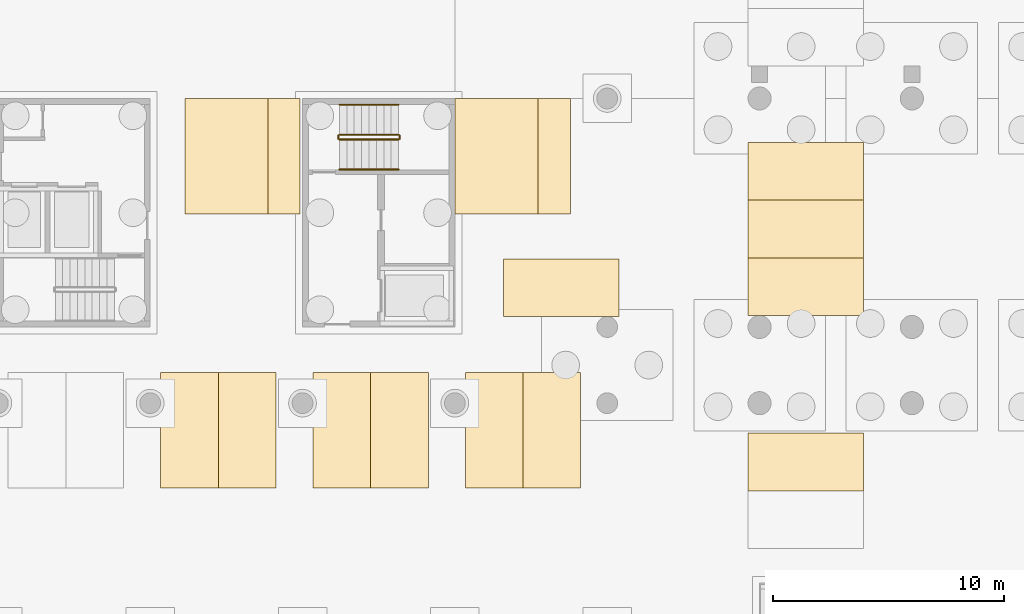
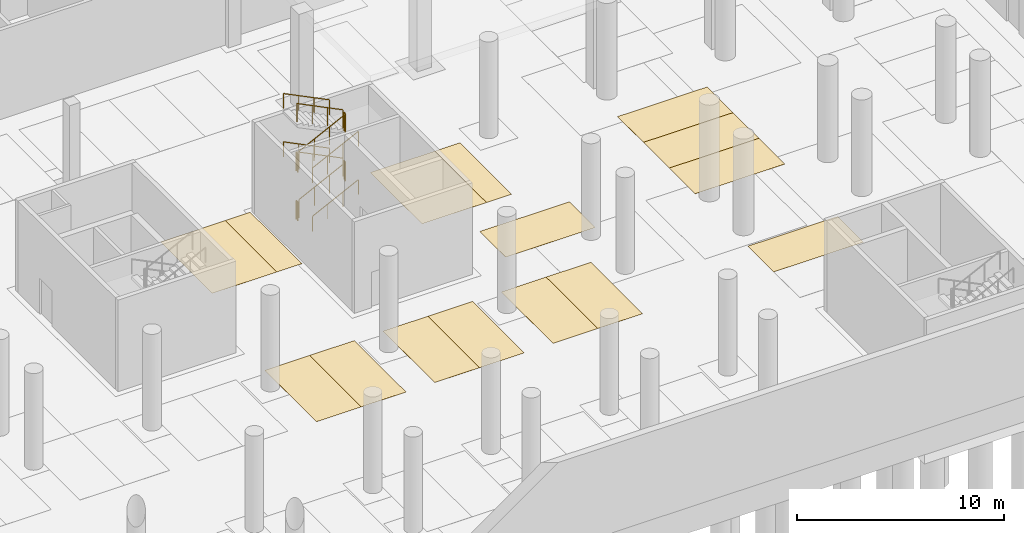
# One storey, part 25 of 38: 15 coverings, 12 railings.
"""IFC4 building model written with IfcOpenShell, lengths in metres."""

from ifc_helpers import new_model, si_unit, direction, frame, origin, origin_2d, place, context, subcontext, project, spatial, polyline, circle, outline, extrude, material, layer, layer_set, type_object, element, save


model = new_model("IFC4")

# Units and contexts
model_context = context("Model", 3, precision=1e-05, world=origin(), true_north=direction((0.0, 1.0)))
body_context = subcontext(model_context, "Body", "Model", "MODEL_VIEW")
ifc_project = project(units=[si_unit("LENGTHUNIT", "METRE"), si_unit("AREAUNIT", "SQUARE_METRE"), si_unit("VOLUMEUNIT", "CUBIC_METRE"), si_unit("PLANEANGLEUNIT", "RADIAN"), si_unit("MASSUNIT", "GRAM", prefix="KILO")], contexts=[model_context])

# Site, building, storey
site_placement = place(None, origin())
site = spatial("IfcSite", under=ifc_project, at=site_placement, CompositionType="ELEMENT")
building_placement = place(site_placement, origin())
building = spatial("IfcBuilding", under=site, at=building_placement, Name="Lantern Court Research Institute", CompositionType="ELEMENT")
storey_placement = place(building_placement, frame((0.0, 0.0, -5.699951171875)))
storey = spatial("IfcBuildingStorey", under=building, at=storey_placement, Name="B1", CompositionType="ELEMENT", Elevation=-5.699951171875)

# Coverings
ifc_material_1 = material(Name="Thermoplastic road marking paint")
ifc_layer_1 = layer(ifc_material_1, 0.0029296875)
ifc_layer_set_1 = layer_set([ifc_layer_1], Name="Thermoplastic road marking paint")
covering_type_1 = type_object("IfcCoveringType", Name="Access aisle hatching", PredefinedType="FLOORING", material=ifc_layer_set_1)
covering_1_placement = place(storey_placement, origin())
element("IfcCovering", 1, at=covering_1_placement, inside=storey, type_object=covering_type_1, Name="Access aisle hatching 01", PredefinedType="FLOORING", context=body_context, shape_type="SweptSolid", body=[
    extrude(outline(polyline([(31.5, 18.10009765625), (32.89990234375, 18.10009765625), (32.89990234375, 23.10009765625), (31.5, 23.10009765625), (31.5, 18.10009765625)])), origin(), (0.0, 0.0, 1.0), 0.0029296875),
])
covering_2_placement = place(storey_placement, origin())
element("IfcCovering", 2, at=covering_2_placement, inside=storey, type_object=covering_type_1, Name="Access aisle hatching 02", PredefinedType="FLOORING", context=body_context, shape_type="SweptSolid", body=[
    extrude(outline(polyline([(43.199951171875, 18.10009765625), (44.60009765625, 18.10009765625), (44.60009765625, 23.10009765625), (43.199951171875, 23.10009765625), (43.199951171875, 18.10009765625)])), origin(), (0.0, 0.0, 1.0), 0.0029296875),
])
ifc_material_2 = material(Name="Thermoplastic road marking paint")
ifc_layer_2 = layer(ifc_material_2, 0.0029296875)
ifc_layer_set_2 = layer_set([ifc_layer_2], Name="Thermoplastic road marking paint")
covering_type_2 = type_object("IfcCoveringType", Name="Accessible parking bay marking", PredefinedType="FLOORING", material=ifc_layer_set_2)
covering_3_placement = place(storey_placement, origin())
element("IfcCovering", 3, at=covering_3_placement, inside=storey, type_object=covering_type_2, Name="Accessible parking bay marking 01", PredefinedType="FLOORING", context=body_context, shape_type="SweptSolid", body=[
    extrude(outline(polyline([(27.89990234375, 18.10009765625), (31.5, 18.10009765625), (31.5, 23.10009765625), (27.89990234375, 23.10009765625), (27.89990234375, 18.10009765625)])), origin(), (0.0, 0.0, 1.0), 0.0029296875),
])
covering_4_placement = place(storey_placement, origin())
element("IfcCovering", 4, at=covering_4_placement, inside=storey, type_object=covering_type_2, Name="Accessible parking bay marking 02", PredefinedType="FLOORING", context=body_context, shape_type="SweptSolid", body=[
    extrude(outline(polyline([(39.60009765625, 18.10009765625), (43.199951171875, 18.10009765625), (43.199951171875, 23.10009765625), (39.60009765625, 23.10009765625), (39.60009765625, 18.10009765625)])), origin(), (0.0, 0.0, 1.0), 0.0029296875),
])
ifc_material_3 = material(Name="Thermoplastic road marking paint")
ifc_layer_3 = layer(ifc_material_3, 0.0029296875)
ifc_layer_set_3 = layer_set([ifc_layer_3], Name="Thermoplastic road marking paint")
covering_type_3 = type_object("IfcCoveringType", Name="Parking bay marking", PredefinedType="FLOORING", material=ifc_layer_set_3)
covering_5_placement = place(storey_placement, origin())
element("IfcCovering", 5, at=covering_5_placement, inside=storey, type_object=covering_type_3, Name="Parking bay marking 021", PredefinedType="FLOORING", context=body_context, shape_type="SweptSolid", body=[
    extrude(outline(polyline([(52.300048828125, 6.10009765625), (57.300048828125, 6.10009765625), (57.300048828125, 8.60009765625), (52.300048828125, 8.60009765625), (52.300048828125, 6.10009765625)])), origin(), (0.0, 0.0, 1.0), 0.0029296875),
])
covering_6_placement = place(storey_placement, origin())
element("IfcCovering", 6, at=covering_6_placement, inside=storey, type_object=covering_type_3, Name="Parking bay marking 029", PredefinedType="FLOORING", context=body_context, shape_type="SweptSolid", body=[
    extrude(outline(polyline([(26.85009765625, 6.219970703125), (29.35009765625, 6.219970703125), (29.35009765625, 11.219970703125), (26.85009765625, 11.219970703125), (26.85009765625, 6.219970703125)])), origin(), (0.0, 0.0, 1.0), 0.0029296875),
])
covering_7_placement = place(storey_placement, origin())
element("IfcCovering", 7, at=covering_7_placement, inside=storey, type_object=covering_type_3, Name="Parking bay marking 030", PredefinedType="FLOORING", context=body_context, shape_type="SweptSolid", body=[
    extrude(outline(polyline([(29.35009765625, 6.219970703125), (31.85009765625, 6.219970703125), (31.85009765625, 11.219970703125), (29.35009765625, 11.219970703125), (29.35009765625, 6.219970703125)])), origin(), (0.0, 0.0, 1.0), 0.0029296875),
])
covering_8_placement = place(storey_placement, origin())
element("IfcCovering", 8, at=covering_8_placement, inside=storey, type_object=covering_type_3, Name="Parking bay marking 031", PredefinedType="FLOORING", context=body_context, shape_type="SweptSolid", body=[
    extrude(outline(polyline([(33.449951171875, 6.219970703125), (35.949951171875, 6.219970703125), (35.949951171875, 11.219970703125), (33.449951171875, 11.219970703125), (33.449951171875, 6.219970703125)])), origin(), (0.0, 0.0, 1.0), 0.0029296875),
])
covering_9_placement = place(storey_placement, origin())
element("IfcCovering", 9, at=covering_9_placement, inside=storey, type_object=covering_type_3, Name="Parking bay marking 032", PredefinedType="FLOORING", context=body_context, shape_type="SweptSolid", body=[
    extrude(outline(polyline([(35.949951171875, 6.219970703125), (38.449951171875, 6.219970703125), (38.449951171875, 11.219970703125), (35.949951171875, 11.219970703125), (35.949951171875, 6.219970703125)])), origin(), (0.0, 0.0, 1.0), 0.0029296875),
])
covering_10_placement = place(storey_placement, origin())
element("IfcCovering", 10, at=covering_10_placement, inside=storey, type_object=covering_type_3, Name="Parking bay marking 033", PredefinedType="FLOORING", context=body_context, shape_type="SweptSolid", body=[
    extrude(outline(polyline([(40.050048828125, 6.219970703125), (42.550048828125, 6.219970703125), (42.550048828125, 11.219970703125), (40.050048828125, 11.219970703125), (40.050048828125, 6.219970703125)])), origin(), (0.0, 0.0, 1.0), 0.0029296875),
])
covering_11_placement = place(storey_placement, origin())
element("IfcCovering", 11, at=covering_11_placement, inside=storey, type_object=covering_type_3, Name="Parking bay marking 034", PredefinedType="FLOORING", context=body_context, shape_type="SweptSolid", body=[
    extrude(outline(polyline([(42.550048828125, 6.219970703125), (45.050048828125, 6.219970703125), (45.050048828125, 11.219970703125), (42.550048828125, 11.219970703125), (42.550048828125, 6.219970703125)])), origin(), (0.0, 0.0, 1.0), 0.0029296875),
])
covering_12_placement = place(storey_placement, origin())
element("IfcCovering", 12, at=covering_12_placement, inside=storey, type_object=covering_type_3, Name="Parking bay marking 039", PredefinedType="FLOORING", context=body_context, shape_type="SweptSolid", body=[
    extrude(outline(polyline([(41.699951171875, 13.64990234375), (46.699951171875, 13.64990234375), (46.699951171875, 16.14990234375), (41.699951171875, 16.14990234375), (41.699951171875, 13.64990234375)])), origin(), (0.0, 0.0, 1.0), 0.0029296875),
])
covering_13_placement = place(storey_placement, origin())
element("IfcCovering", 13, at=covering_13_placement, inside=storey, type_object=covering_type_3, Name="Parking bay marking 040", PredefinedType="FLOORING", context=body_context, shape_type="SweptSolid", body=[
    extrude(outline(polyline([(52.300048828125, 13.699951171875), (57.300048828125, 13.699951171875), (57.300048828125, 16.199951171875), (52.300048828125, 16.199951171875), (52.300048828125, 13.699951171875)])), origin(), (0.0, 0.0, 1.0), 0.0029296875),
])
covering_14_placement = place(storey_placement, origin())
element("IfcCovering", 14, at=covering_14_placement, inside=storey, type_object=covering_type_3, Name="Parking bay marking 042", PredefinedType="FLOORING", context=body_context, shape_type="SweptSolid", body=[
    extrude(outline(polyline([(52.300048828125, 16.199951171875), (57.300048828125, 16.199951171875), (57.300048828125, 18.699951171875), (52.300048828125, 18.699951171875), (52.300048828125, 16.199951171875)])), origin(), (0.0, 0.0, 1.0), 0.0029296875),
])
covering_15_placement = place(storey_placement, origin())
element("IfcCovering", 15, at=covering_15_placement, inside=storey, type_object=covering_type_3, Name="Parking bay marking 046", PredefinedType="FLOORING", context=body_context, shape_type="SweptSolid", body=[
    extrude(outline(polyline([(52.300048828125, 18.699951171875), (57.300048828125, 18.699951171875), (57.300048828125, 21.199951171875), (52.300048828125, 21.199951171875), (52.300048828125, 18.699951171875)])), origin(), (0.0, 0.0, 1.0), 0.0029296875),
])

# Railings
ifc_material_4 = material(Name="Structural steel S355", Category="steel")
railing_type_1 = type_object("IfcRailingType", Name="Stair guard 1100 steel", PredefinedType="GUARDRAIL", material=ifc_material_4)
railing_1_placement = place(storey_placement, frame((34.60009765625, 21.324951171875, 0.158203125)))
element("IfcRailing", 16, at=railing_1_placement, inside=storey, type_object=railing_type_1, Name="B1 ST-B3 stair guard 1", PredefinedType="GUARDRAIL", context=body_context, shape_type="SweptSolid", body=[
    extrude(circle(Radius=0.02392578125, at=origin_2d()), frame((0.0, 0.0, 1.076171875), z_axis=(0.896248962668, 0.0, 0.443551346427), x_axis=(0.0, 1.0, 0.0)), (0.0, 0.0, 1.0), 2.856201171875),
    extrude(circle(Radius=0.02099609375, at=origin_2d()), origin(), (0.0, 0.0, 1.0), 1.052001953125),
    extrude(circle(Radius=0.02099609375, at=origin_2d()), frame((0.853271484375, 0.0, 0.42236328125)), (0.0, 0.0, 1.0), 1.052001953125),
    extrude(circle(Radius=0.02099609375, at=origin_2d()), frame((1.70654296875, 0.0, 0.844482421875)), (0.0, 0.0, 1.0), 1.052001953125),
    extrude(circle(Radius=0.02099609375, at=origin_2d()), frame((2.559814453125, 0.0, 1.266845703125)), (0.0, 0.0, 1.0), 1.052001953125),
])
railing_2_placement = place(storey_placement, frame((37.2099609375, 21.35009765625, 1.425048828125)))
element("IfcRailing", 17, at=railing_2_placement, inside=storey, type_object=railing_type_1, Name="B1 ST-B3 stair guard 2", PredefinedType="GUARDRAIL", context=body_context, shape_type="SweptSolid", body=[
    extrude(circle(Radius=0.02392578125, at=origin_2d()), frame((0.0, 0.0, 1.076171875), z_axis=(0.0, 1.0, 0.0), x_axis=(-1.0, 0.0, 0.0)), (0.0, 0.0, 1.0), 0.14990234375),
    extrude(circle(Radius=0.02099609375, at=origin_2d()), origin(), (0.0, 0.0, 1.0), 1.052001953125),
    extrude(circle(Radius=0.02099609375, at=origin_2d()), frame((0.0, 0.14990234375, 0.0)), (0.0, 0.0, 1.0), 1.052001953125),
])
railing_3_placement = place(storey_placement, frame((37.159912109375, 21.52490234375, 1.583251953125)))
element("IfcRailing", 18, at=railing_3_placement, inside=storey, type_object=railing_type_1, Name="B1 ST-B3 stair guard 3", PredefinedType="GUARDRAIL", context=body_context, shape_type="SweptSolid", body=[
    extrude(circle(Radius=0.02392578125, at=origin_2d()), frame((0.0, 0.0, 1.076171875), z_axis=(-0.896282942063, 0.0, 0.443482680346), x_axis=(0.0, -1.0, 0.0)), (0.0, 0.0, 1.0), 2.85595703125),
    extrude(circle(Radius=0.02099609375, at=origin_2d()), origin(), (0.0, 0.0, 1.0), 1.052001953125),
    extrude(circle(Radius=0.02099609375, at=origin_2d()), frame((-0.853271484375, 0.0, 0.422119140625)), (0.0, 0.0, 1.0), 1.052001953125),
    extrude(circle(Radius=0.02099609375, at=origin_2d()), frame((-1.70654296875, 0.0, 0.844482421875)), (0.0, 0.0, 1.0), 1.052001953125),
    extrude(circle(Radius=0.02099609375, at=origin_2d()), frame((-2.559814453125, 0.0, 1.2666015625)), (0.0, 0.0, 1.0), 1.052001953125),
])
railing_4_placement = place(storey_placement, frame((34.550048828125, 21.35009765625, 2.849853515625)))
element("IfcRailing", 19, at=railing_4_placement, inside=storey, type_object=railing_type_1, Name="B1 ST-B3 stair guard 4", PredefinedType="GUARDRAIL", context=body_context, shape_type="SweptSolid", body=[
    extrude(circle(Radius=0.02392578125, at=origin_2d()), frame((0.0, 0.0, 1.076171875), z_axis=(0.0, 1.0, 0.0), x_axis=(-1.0, 0.0, 0.0)), (0.0, 0.0, 1.0), 0.14990234375),
    extrude(circle(Radius=0.02099609375, at=origin_2d()), origin(), (0.0, 0.0, 1.0), 1.052001953125),
    extrude(circle(Radius=0.02099609375, at=origin_2d()), frame((0.0, 0.14990234375, 0.0)), (0.0, 0.0, 1.0), 1.052001953125),
])
railing_5_placement = place(storey_placement, frame((34.60009765625, 21.324951171875, 3.00830078125)))
element("IfcRailing", 20, at=railing_5_placement, inside=storey, type_object=railing_type_1, Name="B1 ST-B3 stair guard 5", PredefinedType="GUARDRAIL", context=body_context, shape_type="SweptSolid", body=[
    extrude(circle(Radius=0.02392578125, at=origin_2d()), frame((0.0, 0.0, 1.076171875), z_axis=(0.896282942063, 0.0, 0.443482680346), x_axis=(0.0, 1.0, 0.0)), (0.0, 0.0, 1.0), 2.85595703125),
    extrude(circle(Radius=0.02099609375, at=origin_2d()), origin(), (0.0, 0.0, 1.0), 1.052001953125),
    extrude(circle(Radius=0.02099609375, at=origin_2d()), frame((0.853271484375, 0.0, 0.422119140625)), (0.0, 0.0, 1.0), 1.052001953125),
    extrude(circle(Radius=0.02099609375, at=origin_2d()), frame((1.70654296875, 0.0, 0.844482421875)), (0.0, 0.0, 1.0), 1.052001953125),
    extrude(circle(Radius=0.02099609375, at=origin_2d()), frame((2.559814453125, 0.0, 1.2666015625)), (0.0, 0.0, 1.0), 1.052001953125),
])
railing_6_placement = place(storey_placement, frame((37.2099609375, 21.35009765625, 4.27490234375)))
element("IfcRailing", 21, at=railing_6_placement, inside=storey, type_object=railing_type_1, Name="B1 ST-B3 stair guard 6", PredefinedType="GUARDRAIL", context=body_context, shape_type="SweptSolid", body=[
    extrude(circle(Radius=0.02392578125, at=origin_2d()), frame((0.0, 0.0, 1.076171875), z_axis=(0.0, 1.0, 0.0), x_axis=(-1.0, 0.0, 0.0)), (0.0, 0.0, 1.0), 0.14990234375),
    extrude(circle(Radius=0.02099609375, at=origin_2d()), origin(), (0.0, 0.0, 1.0), 1.052001953125),
    extrude(circle(Radius=0.02099609375, at=origin_2d()), frame((0.0, 0.14990234375, 0.0)), (0.0, 0.0, 1.0), 1.052001953125),
])
railing_7_placement = place(storey_placement, frame((37.159912109375, 21.52490234375, 4.433349609375)))
element("IfcRailing", 22, at=railing_7_placement, inside=storey, type_object=railing_type_1, Name="B1 ST-B3 stair guard 7", PredefinedType="GUARDRAIL", context=body_context, shape_type="SweptSolid", body=[
    extrude(circle(Radius=0.02392578125, at=origin_2d()), frame((0.0, 0.0, 1.076171875), z_axis=(-0.896282942063, 0.0, 0.443482680346), x_axis=(0.0, -1.0, 0.0)), (0.0, 0.0, 1.0), 2.85595703125),
    extrude(circle(Radius=0.02099609375, at=origin_2d()), origin(), (0.0, 0.0, 1.0), 1.052001953125),
    extrude(circle(Radius=0.02099609375, at=origin_2d()), frame((-0.853271484375, 0.0, 0.422119140625)), (0.0, 0.0, 1.0), 1.052001953125),
    extrude(circle(Radius=0.02099609375, at=origin_2d()), frame((-1.70654296875, 0.0, 0.844482421875)), (0.0, 0.0, 1.0), 1.052001953125),
    extrude(circle(Radius=0.02099609375, at=origin_2d()), frame((-2.559814453125, 0.0, 1.2666015625)), (0.0, 0.0, 1.0), 1.052001953125),
])
railing_8_placement = place(storey_placement, frame((34.550048828125, 21.35009765625, 0.0)))
element("IfcRailing", 23, at=railing_8_placement, inside=storey, type_object=railing_type_1, Name="B1 ST-B3 stair guard 8", PredefinedType="GUARDRAIL", context=body_context, shape_type="SweptSolid", body=[
    extrude(circle(Radius=0.02392578125, at=origin_2d()), frame((0.0, 0.0, 1.076171875), z_axis=(0.0, 1.0, 0.0), x_axis=(-1.0, 0.0, 0.0)), (0.0, 0.0, 1.0), 0.14990234375),
    extrude(circle(Radius=0.02099609375, at=origin_2d()), origin(), (0.0, 0.0, 1.0), 1.052001953125),
    extrude(circle(Radius=0.02099609375, at=origin_2d()), frame((0.0, 0.14990234375, 0.0)), (0.0, 0.0, 1.0), 1.052001953125),
])
ifc_material_5 = material(Name="Stainless steel 316", Category="steel")
railing_type_2 = type_object("IfcRailingType", Name="Stair handrail 900 steel", PredefinedType="HANDRAIL", material=ifc_material_5)
railing_9_placement = place(storey_placement, frame((34.60009765625, 20.02490234375, 0.158203125)))
element("IfcRailing", 24, at=railing_9_placement, inside=storey, type_object=railing_type_2, Name="B1 ST-B3 stair handrail 1", PredefinedType="HANDRAIL", context=body_context, shape_type="SweptSolid", body=[
    extrude(circle(Radius=0.02392578125, at=origin_2d()), frame((0.0, 0.0, 0.8759765625), z_axis=(0.896248962668, 0.0, 0.443551346427), x_axis=(0.0, 1.0, 0.0)), (0.0, 0.0, 1.0), 2.856201171875),
    extrude(circle(Radius=0.02099609375, at=origin_2d()), origin(), (0.0, 0.0, 1.0), 0.851806640625),
    extrude(circle(Radius=0.02099609375, at=origin_2d()), frame((0.853271484375, 0.0, 0.42236328125)), (0.0, 0.0, 1.0), 0.851806640625),
    extrude(circle(Radius=0.02099609375, at=origin_2d()), frame((1.70654296875, 0.0, 0.844482421875)), (0.0, 0.0, 1.0), 0.851806640625),
    extrude(circle(Radius=0.02099609375, at=origin_2d()), frame((2.559814453125, 0.0, 1.266845703125)), (0.0, 0.0, 1.0), 0.851806640625),
])
railing_10_placement = place(storey_placement, frame((37.159912109375, 22.824951171875, 1.583251953125)))
element("IfcRailing", 25, at=railing_10_placement, inside=storey, type_object=railing_type_2, Name="B1 ST-B3 stair handrail 2", PredefinedType="HANDRAIL", context=body_context, shape_type="SweptSolid", body=[
    extrude(circle(Radius=0.02392578125, at=origin_2d()), frame((0.0, 0.0, 0.8759765625), z_axis=(-0.896282942063, 0.0, 0.443482680346), x_axis=(0.0, -1.0, 0.0)), (0.0, 0.0, 1.0), 2.85595703125),
    extrude(circle(Radius=0.02099609375, at=origin_2d()), origin(), (0.0, 0.0, 1.0), 0.851806640625),
    extrude(circle(Radius=0.02099609375, at=origin_2d()), frame((-0.853271484375, 0.0, 0.422119140625)), (0.0, 0.0, 1.0), 0.851806640625),
    extrude(circle(Radius=0.02099609375, at=origin_2d()), frame((-1.70654296875, 0.0, 0.844482421875)), (0.0, 0.0, 1.0), 0.851806640625),
    extrude(circle(Radius=0.02099609375, at=origin_2d()), frame((-2.559814453125, 0.0, 1.2666015625)), (0.0, 0.0, 1.0), 0.851806640625),
])
railing_11_placement = place(storey_placement, frame((34.60009765625, 20.02490234375, 3.00830078125)))
element("IfcRailing", 26, at=railing_11_placement, inside=storey, type_object=railing_type_2, Name="B1 ST-B3 stair handrail 3", PredefinedType="HANDRAIL", context=body_context, shape_type="SweptSolid", body=[
    extrude(circle(Radius=0.02392578125, at=origin_2d()), frame((0.0, 0.0, 0.8759765625), z_axis=(0.896282942063, 0.0, 0.443482680346), x_axis=(0.0, 1.0, 0.0)), (0.0, 0.0, 1.0), 2.85595703125),
    extrude(circle(Radius=0.02099609375, at=origin_2d()), origin(), (0.0, 0.0, 1.0), 0.851806640625),
    extrude(circle(Radius=0.02099609375, at=origin_2d()), frame((0.853271484375, 0.0, 0.422119140625)), (0.0, 0.0, 1.0), 0.851806640625),
    extrude(circle(Radius=0.02099609375, at=origin_2d()), frame((1.70654296875, 0.0, 0.844482421875)), (0.0, 0.0, 1.0), 0.851806640625),
    extrude(circle(Radius=0.02099609375, at=origin_2d()), frame((2.559814453125, 0.0, 1.2666015625)), (0.0, 0.0, 1.0), 0.851806640625),
])
railing_12_placement = place(storey_placement, frame((37.159912109375, 22.824951171875, 4.433349609375)))
element("IfcRailing", 27, at=railing_12_placement, inside=storey, type_object=railing_type_2, Name="B1 ST-B3 stair handrail 4", PredefinedType="HANDRAIL", context=body_context, shape_type="SweptSolid", body=[
    extrude(circle(Radius=0.02392578125, at=origin_2d()), frame((0.0, 0.0, 0.8759765625), z_axis=(-0.896282942063, 0.0, 0.443482680346), x_axis=(0.0, -1.0, 0.0)), (0.0, 0.0, 1.0), 2.85595703125),
    extrude(circle(Radius=0.02099609375, at=origin_2d()), origin(), (0.0, 0.0, 1.0), 0.851806640625),
    extrude(circle(Radius=0.02099609375, at=origin_2d()), frame((-0.853271484375, 0.0, 0.422119140625)), (0.0, 0.0, 1.0), 0.851806640625),
    extrude(circle(Radius=0.02099609375, at=origin_2d()), frame((-1.70654296875, 0.0, 0.844482421875)), (0.0, 0.0, 1.0), 0.851806640625),
    extrude(circle(Radius=0.02099609375, at=origin_2d()), frame((-2.559814453125, 0.0, 1.2666015625)), (0.0, 0.0, 1.0), 0.851806640625),
])

save(model, "model.ifc")
